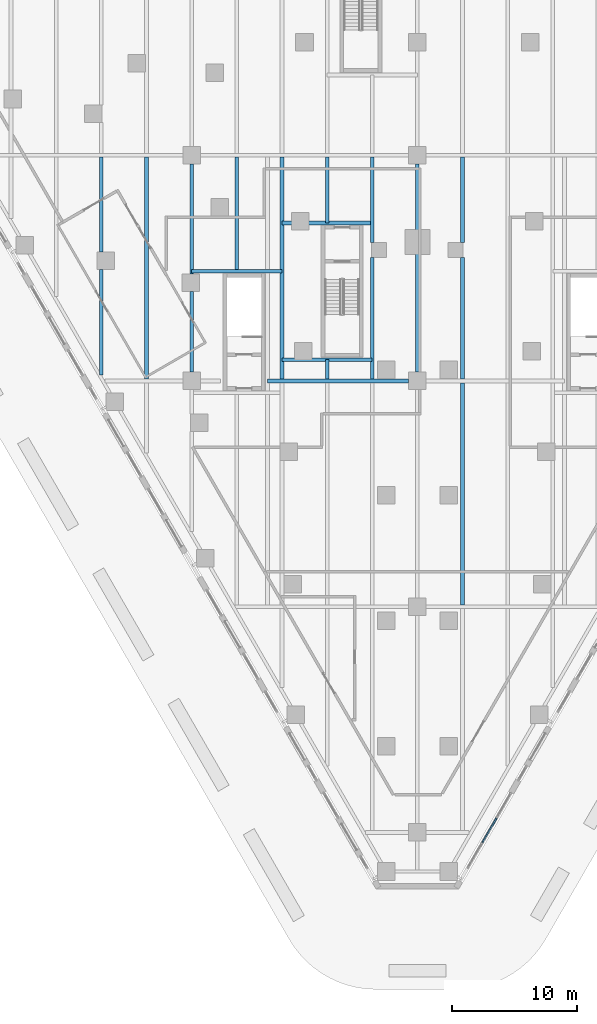
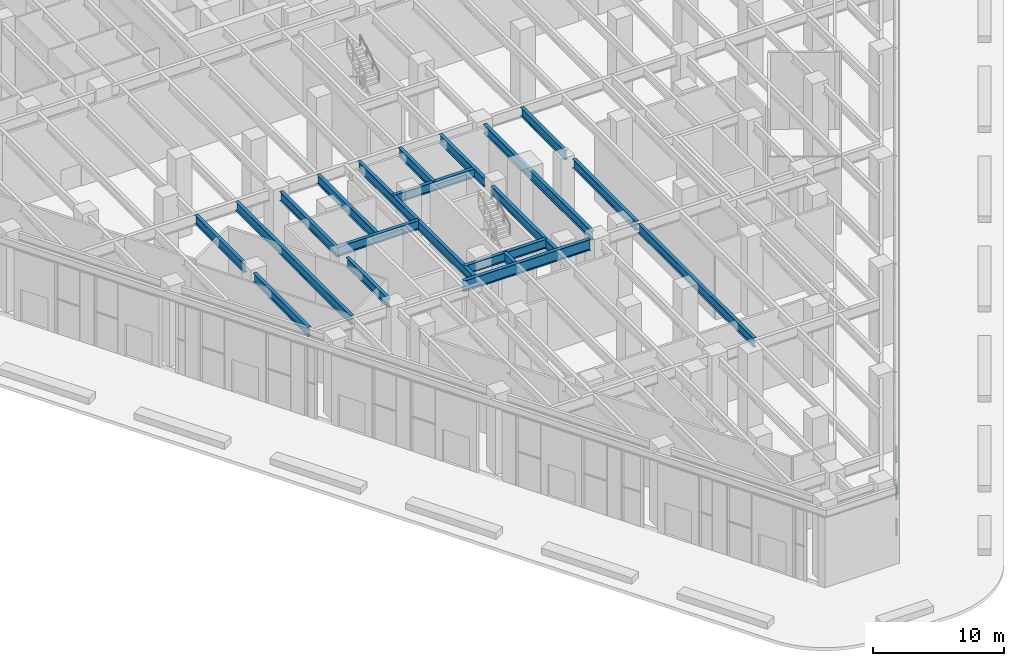
# One storey, part 6 of 37: 19 beams, 3 members, 1 element without a shape of its own.
"""IFC4 building model written with IfcOpenShell, lengths in metres."""

import ifcopenshell
import ifcopenshell.guid

model = None  # the IFC model being written
_history = None  # IfcOwnerHistory: only IFC2X3 demands one
_inside = {}  # id of a spatial element -> (the spatial element, [elements in it])
_under = {}  # id of a project, library or spatial element -> (it, [spatial elements below it])
_declared = {}  # id of a project -> (the project, [libraries it declares])
_typed = {}  # id of a type object -> (the type object, [elements of that type])
_made_of = {}  # id of a material, layer set ... -> (it, [elements and type objects made of it])


def new_model(schema):
    """Start an empty IFC model of exactly this schema.

    Asked for "IFC4X3", IfcOpenShell would pick the latest addendum, in which some entities
    have other attributes; the version numbers below select the first issue.
    IFC2X3 requires an IfcOwnerHistory on every rooted entity: one is made here for all.
    """
    global model, _history
    if schema == "IFC4X3":
        model = ifcopenshell.file(schema_version=(4, 3, 0, 0))
    else:
        model = ifcopenshell.file(schema=schema)
    _inside.clear()
    _under.clear()
    _declared.clear()
    _typed.clear()
    _made_of.clear()
    _history = None
    if model.schema == "IFC2X3":
        org = make("IfcOrganization", Name="unknown")
        user = make(
            "IfcPersonAndOrganization",
            ThePerson=make("IfcPerson", FamilyName="unknown"),
            TheOrganization=org,
        )
        app = make(
            "IfcApplication",
            ApplicationDeveloper=org,
            Version="unknown",
            ApplicationFullName="unknown",
            ApplicationIdentifier="unknown",
        )
        _history = make(
            "IfcOwnerHistory",
            OwningUser=user,
            OwningApplication=app,
            ChangeAction="ADDED",
            CreationDate=0,
        )
    return model


def make(cls, **values):
    """One entity of the class cls with the attributes given. An attribute that is None is left unset."""
    return model.create_entity(
        cls, **{name: value for name, value in values.items() if value is not None}
    )


def rooted(cls, **values):
    """An entity with a GlobalId (a new one), such as an element, a storey or a relation."""
    return make(cls, GlobalId=ifcopenshell.guid.new(), OwnerHistory=_history, **values)


def si_unit(unit_type, name, prefix=None):
    """IfcSIUnit, for example si_unit("LENGTHUNIT", "METRE", prefix="MILLI")."""
    return make("IfcSIUnit", UnitType=unit_type, Prefix=prefix, Name=name)


def assignment(units):
    """IfcUnitAssignment: the units of a project."""
    return None if units is None else make("IfcUnitAssignment", Units=units)


def point(xyz):
    """IfcCartesianPoint."""
    return None if xyz is None else make("IfcCartesianPoint", Coordinates=xyz)


def direction(xyz):
    """IfcDirection."""
    return None if xyz is None else make("IfcDirection", DirectionRatios=xyz)


def frame(location, z_axis=None, x_axis=None):
    """IfcAxis2Placement3D, a coordinate frame: its origin and axes. An axis left out is left unset."""
    return make(
        "IfcAxis2Placement3D",
        Location=point(location),
        Axis=direction(z_axis),
        RefDirection=direction(x_axis),
    )


def frame_2d(location, x_axis=None):
    """IfcAxis2Placement2D, a coordinate frame in the plane: its origin and x axis."""
    return make(
        "IfcAxis2Placement2D", Location=point(location), RefDirection=direction(x_axis)
    )


def origin():
    """The frame at (0, 0, 0) with its axes left unset."""
    return frame((0.0, 0.0, 0.0))


def origin_2d():
    """The frame at (0, 0) in the plane with its x axis left unset."""
    return frame_2d((0.0, 0.0))


def place(relative_to, where):
    """IfcLocalPlacement: puts the frame where relative to a parent placement (None: the world)."""
    return make(
        "IfcLocalPlacement", PlacementRelTo=relative_to, RelativePlacement=where
    )


def context(
    kind, dimensions, precision=None, world=None, true_north=None, identifier=None
):
    """IfcGeometricRepresentationContext, for example the 3D "Model" context."""
    return make(
        "IfcGeometricRepresentationContext",
        ContextIdentifier=identifier,
        ContextType=kind,
        CoordinateSpaceDimension=dimensions,
        Precision=precision,
        WorldCoordinateSystem=world,
        TrueNorth=true_north,
    )


def subcontext(parent, identifier, kind, view, scale=None):
    """IfcGeometricRepresentationSubContext, for example "Body" below "Model"."""
    return make(
        "IfcGeometricRepresentationSubContext",
        ContextIdentifier=identifier,
        ContextType=kind,
        ParentContext=parent,
        TargetScale=scale,
        TargetView=view,
    )


def project(units=None, contexts=None):
    """IfcProject with its units and contexts."""
    return rooted(
        "IfcProject",
        Name="project",
        RepresentationContexts=contexts,
        UnitsInContext=assignment(units),
    )


def spatial(cls, under=None, at=None, **own):
    """A site, building, storey or space (cls), placed at a placement, below another one or the project."""
    s = rooted(cls, ObjectPlacement=at, **own)
    if under is not None:
        _under.setdefault(under.id(), (under, []))[1].append(s)
    return s


def profile(cls, at=None, kind="AREA", **sizes):
    """A parametric profile (cls). Its sizes go by their IFC names, for example OverallWidth=200.0."""
    return make(cls, ProfileType=kind, Position=at, **sizes)


def rectangle(**sizes):
    """IfcRectangleProfileDef."""
    return profile("IfcRectangleProfileDef", **sizes)


def i_section(**sizes):
    """IfcIShapeProfileDef."""
    return profile("IfcIShapeProfileDef", **sizes)


def extrude(swept, where, along, depth):
    """IfcExtrudedAreaSolid: the profile swept, set in the frame where, extruded along a direction by depth."""
    return make(
        "IfcExtrudedAreaSolid",
        SweptArea=swept,
        Position=where,
        ExtrudedDirection=direction(along),
        Depth=depth,
    )


def shape(context_of_items, identifier, shape_type, items):
    """IfcShapeRepresentation: the items that make up one representation, for example the "Body"."""
    return make(
        "IfcShapeRepresentation",
        ContextOfItems=context_of_items,
        RepresentationIdentifier=identifier,
        RepresentationType=shape_type,
        Items=items,
    )


def material(Name=None, Category=None):
    """IfcMaterial."""
    return make("IfcMaterial", Name=Name, Category=Category)


def material_profile(
    of_material, cross_section, Name=None, Category=None, Priority=None
):
    """IfcMaterialProfile: a cross section and its material."""
    return make(
        "IfcMaterialProfile",
        Name=Name,
        Material=of_material,
        Profile=cross_section,
        Priority=Priority,
        Category=Category,
    )


def profile_set(profiles, Name=None, composite=None):
    """IfcMaterialProfileSet."""
    return make(
        "IfcMaterialProfileSet",
        Name=Name,
        MaterialProfiles=profiles,
        CompositeProfile=composite,
    )


def made_of(thing, what):
    """Note that an element or type object is made of a material, layer set ...; save() writes the relation."""
    if what is not None:
        _made_of.setdefault(what.id(), (what, []))[1].append(thing)
    return thing


def type_object(cls, material=None, **own):
    """A type object (cls), such as IfcWallType, which elements share."""
    return made_of(rooted(cls, **own), material)


def element(
    cls,
    number,
    at=None,
    inside=None,
    cuts=None,
    type_object=None,
    material=None,
    context=None,
    identifier="Body",
    shape_type=None,
    held_by="IfcProductDefinitionShape",
    body=None,
    shapes=None,
    **own,
):
    """One element of the class cls, such as IfcWall. Its Tag is "e" and its number.

    at: its placement. inside: the storey or other place that contains it. cuts: it is an
    opening in that element (IfcRelVoidsElement). A single representation is given by context,
    identifier, shape_type and body (its items); several are given by shapes. held_by: the class
    of the entity that holds the representations. save() writes the other relations.
    """
    e = rooted(cls, Tag="e%d" % number, ObjectPlacement=at, **own)
    if body is not None:
        shapes = [shape(context, identifier, shape_type, body)]
    if shapes is not None:
        e.Representation = make(held_by, Representations=shapes)
    if inside is not None:
        _inside.setdefault(inside.id(), (inside, []))[1].append(e)
    if cuts is not None:
        rooted(
            "IfcRelVoidsElement", RelatingBuildingElement=cuts, RelatedOpeningElement=e
        )
    if type_object is not None:
        _typed.setdefault(type_object.id(), (type_object, []))[1].append(e)
    return made_of(e, material)


def aggregate(whole, parts):
    """IfcRelAggregates: a whole, such as a stair, and the parts it consists of."""
    return rooted("IfcRelAggregates", RelatingObject=whole, RelatedObjects=parts)


def save(model, path):
    """Write the relations noted so far, then the file.

    IfcRelAggregates (storeys below a building ...), IfcRelContainedInSpatialStructure (elements
    in a storey), IfcRelDefinesByType, IfcRelAssociatesMaterial and IfcRelDeclares: one each for
    every whole, place, type object, material and project.
    """
    for whole, parts in _under.values():
        aggregate(whole, parts)
    for where, things in _inside.values():
        rooted(
            "IfcRelContainedInSpatialStructure",
            RelatedElements=things,
            RelatingStructure=where,
        )
    for kind, things in _typed.values():
        rooted("IfcRelDefinesByType", RelatedObjects=things, RelatingType=kind)
    for what, things in _made_of.values():
        rooted("IfcRelAssociatesMaterial", RelatedObjects=things, RelatingMaterial=what)
    for by, libraries in _declared.values():
        rooted("IfcRelDeclares", RelatingContext=by, RelatedDefinitions=libraries)
    model.write(path)


model = new_model("IFC4")

# Units and contexts
model_context = context("Model", 3, precision=1e-05, world=origin(), true_north=direction((0.0, 1.0)))
body_context = subcontext(model_context, "Body", "Model", "MODEL_VIEW")
ifc_project = project(units=[si_unit("LENGTHUNIT", "METRE"), si_unit("AREAUNIT", "SQUARE_METRE"), si_unit("VOLUMEUNIT", "CUBIC_METRE"), si_unit("PLANEANGLEUNIT", "RADIAN"), si_unit("MASSUNIT", "GRAM", prefix="KILO")], contexts=[model_context])

# Site, building, storey
site_placement = place(None, origin())
site = spatial("IfcSite", under=ifc_project, at=site_placement, CompositionType="ELEMENT")
building_placement = place(site_placement, origin())
building = spatial("IfcBuilding", under=site, at=building_placement, Name="Aloe Facet Convention Tower", CompositionType="ELEMENT")
storey_placement = place(building_placement, origin())
storey = spatial("IfcBuildingStorey", under=building, at=storey_placement, Name="L00", CompositionType="ELEMENT", Elevation=0.0)

# Curtain wall, members
ifc_material_1 = material(Name="Aluminium, anodised", Category="aluminium")
curtain_wall_type = type_object("IfcCurtainWallType", Name="EV-CW-SHOP", PredefinedType="USERDEFINED", material=ifc_material_1)
curtain_wall_placement = place(storey_placement, origin())
curtain_wall = element("IfcCurtainWall", 1, at=curtain_wall_placement, inside=storey, type_object=curtain_wall_type, Name="CW-L00-E02", ObjectType="STICK SHOPFRONT GLAZING", PredefinedType="USERDEFINED")
ifc_material_2 = material(Name="Aluminium, anodised", Category="aluminium")
ifc_material_profile_1 = material_profile(ifc_material_2, rectangle(XDim=0.1201171875, YDim=0.06005859375, at=origin_2d()), Name="AL 120x60")
ifc_profile_set_1 = profile_set([ifc_material_profile_1], Name="Aluminium, anodised")
member_type = type_object("IfcMemberType", Name="EV-TRAN-SHOP", PredefinedType="USERDEFINED", material=ifc_profile_set_1)
member_1_placement = place(storey_placement, frame((85.1845703125, 44.200439453125, -0.27001953125), z_axis=(0.499990200585, 0.866031061406, 0.0), x_axis=(-0.866031061406, 0.499990200585, 0.0)))
member_1 = element("IfcMember", 2, at=member_1_placement, type_object=member_type, Name="CW-L00-E02 transom 2.1", ObjectType="TRANSOM", PredefinedType="USERDEFINED", context=body_context, shape_type="SweptSolid", body=[
    extrude(rectangle(XDim=0.1201171875, YDim=0.06005859375, at=origin_2d()), origin(), (0.0, 0.0, 1.0), 2.236328125),
])
member_2_placement = place(storey_placement, frame((85.1845703125, 44.200439453125, 3.106201171875), z_axis=(0.499990200585, 0.866031061406, 0.0), x_axis=(-0.866031061406, 0.499990200585, 0.0)))
member_2 = element("IfcMember", 3, at=member_2_placement, type_object=member_type, Name="CW-L00-E02 transom 2.2", ObjectType="TRANSOM", PredefinedType="USERDEFINED", context=body_context, shape_type="SweptSolid", body=[
    extrude(rectangle(XDim=0.1201171875, YDim=0.06005859375, at=origin_2d()), origin(), (0.0, 0.0, 1.0), 2.236328125),
])
member_3_placement = place(storey_placement, frame((85.1845703125, 44.200439453125, 6.482421875), z_axis=(0.499990200585, 0.866031061406, 0.0), x_axis=(-0.866031061406, 0.499990200585, 0.0)))
member_3 = element("IfcMember", 4, at=member_3_placement, type_object=member_type, Name="CW-L00-E02 transom 2.3", ObjectType="TRANSOM", PredefinedType="USERDEFINED", context=body_context, shape_type="SweptSolid", body=[
    extrude(rectangle(XDim=0.1201171875, YDim=0.06005859375, at=origin_2d()), origin(), (0.0, 0.0, 1.0), 2.236328125),
])
aggregate(curtain_wall, [member_1, member_2, member_3])

# Beams
ifc_material_3 = material(Name="Steel S355", Category="steel")
ifc_material_profile_2 = material_profile(ifc_material_3, i_section(OverallWidth=0.305419921875, OverallDepth=1.02587890625, WebThickness=0.02001953125, FlangeThickness=0.031005859375, FilletRadius=0.030029296875, at=origin_2d()), Name="UB 1016x305x349")
ifc_profile_set_2 = profile_set([ifc_material_profile_2], Name="Steel S355")
beam_type_1 = type_object("IfcBeamType", Name="SF-B-UB1016x305x349", PredefinedType="BEAM", material=ifc_profile_set_2)
beam_1_placement = place(storey_placement, frame((68.050048828125, 81.0, 6.68701171875), z_axis=(1.0, 0.0, 0.0), x_axis=(0.0, 1.0, 0.0)))
element("IfcBeam", 5, at=beam_1_placement, inside=storey, type_object=beam_type_1, Name="Floor beam FB-L01-039", PredefinedType="BEAM", context=body_context, shape_type="SweptSolid", body=[
    extrude(i_section(OverallWidth=0.305419921875, OverallDepth=1.02587890625, WebThickness=0.02001953125, FlangeThickness=0.031005859375, FilletRadius=0.030029296875, at=origin_2d()), origin(), (0.0, 0.0, 1.0), 11.25),
])
ifc_material_4 = material(Name="Steel S355", Category="steel")
ifc_material_profile_3 = material_profile(ifc_material_4, i_section(OverallWidth=0.293701171875, OverallDepth=0.850830078125, WebThickness=0.01611328125, FlangeThickness=0.02685546875, FilletRadius=0.017822265625, at=origin_2d()), Name="UB 838x292x226")
ifc_profile_set_3 = profile_set([ifc_material_profile_3], Name="Steel S355")
beam_type_2 = type_object("IfcBeamType", Name="SF-B-UB838x292x226", PredefinedType="BEAM", material=ifc_profile_set_3)
beam_2_placement = place(storey_placement, frame((54.800048828125, 81.482666015625, 6.774658203125), z_axis=(0.0, 1.0, 0.0), x_axis=(-1.0, 0.0, 0.0)))
element("IfcBeam", 6, at=beam_2_placement, inside=storey, type_object=beam_type_2, Name="Floor beam FB-L01-069", PredefinedType="BEAM", context=body_context, shape_type="SweptSolid", body=[
    extrude(i_section(OverallWidth=0.293701171875, OverallDepth=0.850830078125, WebThickness=0.01611328125, FlangeThickness=0.02685546875, FilletRadius=0.017822265625, at=origin_2d()), origin(), (0.0, 0.0, 1.0), 8.40234375),
])
beam_3_placement = place(storey_placement, frame((54.800048828125, 91.284912109375, 6.774658203125), z_axis=(0.0, 1.0, 0.0), x_axis=(-1.0, 0.0, 0.0)))
element("IfcBeam", 7, at=beam_3_placement, inside=storey, type_object=beam_type_2, Name="Floor beam FB-L01-070", PredefinedType="BEAM", context=body_context, shape_type="SweptSolid", body=[
    extrude(i_section(OverallWidth=0.293701171875, OverallDepth=0.850830078125, WebThickness=0.01611328125, FlangeThickness=0.02685546875, FilletRadius=0.017822265625, at=origin_2d()), origin(), (0.0, 0.0, 1.0), 7.5625),
])
beam_4_placement = place(storey_placement, frame((58.39990234375, 81.152587890625, 6.774658203125), z_axis=(0.0, 1.0, 0.0), x_axis=(-1.0, 0.0, 0.0)))
element("IfcBeam", 8, at=beam_4_placement, inside=storey, type_object=beam_type_2, Name="Floor beam FB-L01-076", PredefinedType="BEAM", context=body_context, shape_type="SweptSolid", body=[
    extrude(i_section(OverallWidth=0.293701171875, OverallDepth=0.850830078125, WebThickness=0.01611328125, FlangeThickness=0.02685546875, FilletRadius=0.017822265625, at=origin_2d()), origin(), (0.0, 0.0, 1.0), 17.69482421875),
])
beam_5_placement = place(storey_placement, frame((62.0, 81.699951171875, 6.774658203125), z_axis=(0.0, 1.0, 0.0), x_axis=(-1.0, 0.0, 0.0)))
element("IfcBeam", 9, at=beam_5_placement, inside=storey, type_object=beam_type_2, Name="Floor beam FB-L01-082", PredefinedType="BEAM", context=body_context, shape_type="SweptSolid", body=[
    extrude(i_section(OverallWidth=0.293701171875, OverallDepth=0.850830078125, WebThickness=0.01611328125, FlangeThickness=0.02685546875, FilletRadius=0.017822265625, at=origin_2d()), origin(), (0.0, 0.0, 1.0), 6.445068359375),
])
beam_6_placement = place(storey_placement, frame((62.0, 89.544921875, 6.774658203125), z_axis=(0.0, 1.0, 0.0), x_axis=(-1.0, 0.0, 0.0)))
element("IfcBeam", 10, at=beam_6_placement, inside=storey, type_object=beam_type_2, Name="Floor beam FB-L01-083", PredefinedType="BEAM", context=body_context, shape_type="SweptSolid", body=[
    extrude(i_section(OverallWidth=0.293701171875, OverallDepth=0.850830078125, WebThickness=0.01611328125, FlangeThickness=0.02685546875, FilletRadius=0.017822265625, at=origin_2d()), origin(), (0.0, 0.0, 1.0), 8.755126953125),
])
beam_7_placement = place(storey_placement, frame((62.0, 89.75, 6.774658203125), z_axis=(1.0, 0.0, 0.0), x_axis=(0.0, 1.0, 0.0)))
element("IfcBeam", 11, at=beam_7_placement, inside=storey, type_object=beam_type_2, Name="Floor beam FB-L01-084", PredefinedType="BEAM", context=body_context, shape_type="SweptSolid", body=[
    extrude(i_section(OverallWidth=0.293701171875, OverallDepth=0.850830078125, WebThickness=0.01611328125, FlangeThickness=0.02685546875, FilletRadius=0.017822265625, at=origin_2d()), origin(), (0.0, 0.0, 1.0), 7.199951171875),
])
beam_8_placement = place(storey_placement, frame((65.60009765625, 89.75, 6.774658203125), z_axis=(0.0, 1.0, 0.0), x_axis=(-1.0, 0.0, 0.0)))
element("IfcBeam", 12, at=beam_8_placement, inside=storey, type_object=beam_type_2, Name="Floor beam FB-L01-088", PredefinedType="BEAM", context=body_context, shape_type="SweptSolid", body=[
    extrude(i_section(OverallWidth=0.293701171875, OverallDepth=0.850830078125, WebThickness=0.01611328125, FlangeThickness=0.02685546875, FilletRadius=0.017822265625, at=origin_2d()), origin(), (0.0, 0.0, 1.0), 9.097412109375),
])
beam_9_placement = place(storey_placement, frame((69.199951171875, 81.152587890625, 6.774658203125), z_axis=(0.0, 1.0, 0.0), x_axis=(-1.0, 0.0, 0.0)))
element("IfcBeam", 13, at=beam_9_placement, inside=storey, type_object=beam_type_2, Name="Floor beam FB-L01-095", PredefinedType="BEAM", context=body_context, shape_type="SweptSolid", body=[
    extrude(i_section(OverallWidth=0.293701171875, OverallDepth=0.850830078125, WebThickness=0.01611328125, FlangeThickness=0.02685546875, FilletRadius=0.017822265625, at=origin_2d()), origin(), (0.0, 0.0, 1.0), 17.69482421875),
])
for number, where, z_axis, x_axis, name in (
    (14, (69.199951171875, 82.699951171875, 6.774658203125), (1.0, 0.0, 0.0), (0.0, 1.0, 0.0), "Floor beam FB-L01-096"),
    (15, (69.199951171875, 93.60009765625, 6.774658203125), (1.0, 0.0, 0.0), (0.0, 1.0, 0.0), "Floor beam FB-L01-097"),
):
    element("IfcBeam", number, at=place(storey_placement, frame(where, z_axis=z_axis, x_axis=x_axis)), inside=storey, type_object=beam_type_2, Name=name, PredefinedType="BEAM", context=body_context, shape_type="SweptSolid", body=[
        extrude(i_section(OverallWidth=0.293701171875, OverallDepth=0.850830078125, WebThickness=0.01611328125, FlangeThickness=0.02685546875, FilletRadius=0.017822265625, at=origin_2d()), origin(), (0.0, 0.0, 1.0), 7.199951171875),
    ])
beam_10_placement = place(storey_placement, frame((72.800048828125, 81.152587890625, 6.774658203125), z_axis=(0.0, 1.0, 0.0), x_axis=(-1.0, 0.0, 0.0)))
element("IfcBeam", 16, at=beam_10_placement, inside=storey, type_object=beam_type_2, Name="Floor beam FB-L01-102", PredefinedType="BEAM", context=body_context, shape_type="SweptSolid", body=[
    extrude(i_section(OverallWidth=0.293701171875, OverallDepth=0.850830078125, WebThickness=0.01611328125, FlangeThickness=0.02685546875, FilletRadius=0.017822265625, at=origin_2d()), origin(), (0.0, 0.0, 1.0), 1.54736328125),
])
beam_11_placement = place(storey_placement, frame((72.800048828125, 93.60009765625, 6.774658203125), z_axis=(0.0, 1.0, 0.0), x_axis=(-1.0, 0.0, 0.0)))
element("IfcBeam", 17, at=beam_11_placement, inside=storey, type_object=beam_type_2, Name="Floor beam FB-L01-103", PredefinedType="BEAM", context=body_context, shape_type="SweptSolid", body=[
    extrude(i_section(OverallWidth=0.293701171875, OverallDepth=0.850830078125, WebThickness=0.01611328125, FlangeThickness=0.02685546875, FilletRadius=0.017822265625, at=origin_2d()), origin(), (0.0, 0.0, 1.0), 5.247314453125),
])
beam_12_placement = place(storey_placement, frame((76.39990234375, 81.152587890625, 6.774658203125), z_axis=(0.0, 1.0, 0.0), x_axis=(-1.0, 0.0, 0.0)))
element("IfcBeam", 18, at=beam_12_placement, inside=storey, type_object=beam_type_2, Name="Floor beam FB-L01-109", PredefinedType="BEAM", context=body_context, shape_type="SweptSolid", body=[
    extrude(i_section(OverallWidth=0.293701171875, OverallDepth=0.850830078125, WebThickness=0.01611328125, FlangeThickness=0.02685546875, FilletRadius=0.017822265625, at=origin_2d()), origin(), (0.0, 0.0, 1.0), 9.68994140625),
])
beam_13_placement = place(storey_placement, frame((76.39990234375, 92.04248046875, 6.774658203125), z_axis=(0.0, 1.0, 0.0), x_axis=(-1.0, 0.0, 0.0)))
element("IfcBeam", 19, at=beam_13_placement, inside=storey, type_object=beam_type_2, Name="Floor beam FB-L01-110", PredefinedType="BEAM", context=body_context, shape_type="SweptSolid", body=[
    extrude(i_section(OverallWidth=0.293701171875, OverallDepth=0.850830078125, WebThickness=0.01611328125, FlangeThickness=0.02685546875, FilletRadius=0.017822265625, at=origin_2d()), origin(), (0.0, 0.0, 1.0), 6.804931640625),
])
beam_14_placement = place(storey_placement, frame((80.0, 81.699951171875, 6.774658203125), z_axis=(0.0, 1.0, 0.0), x_axis=(-1.0, 0.0, 0.0)))
element("IfcBeam", 20, at=beam_14_placement, inside=storey, type_object=beam_type_2, Name="Floor beam FB-L01-116", PredefinedType="BEAM", context=body_context, shape_type="SweptSolid", body=[
    extrude(i_section(OverallWidth=0.293701171875, OverallDepth=0.850830078125, WebThickness=0.01611328125, FlangeThickness=0.02685546875, FilletRadius=0.017822265625, at=origin_2d()), origin(), (0.0, 0.0, 1.0), 16.60009765625),
])
beam_15_placement = place(storey_placement, frame((83.60009765625, 63.152587890625, 6.774658203125), z_axis=(0.0, 1.0, 0.0), x_axis=(-1.0, 0.0, 0.0)))
element("IfcBeam", 21, at=beam_15_placement, inside=storey, type_object=beam_type_2, Name="Floor beam FB-L01-121", PredefinedType="BEAM", context=body_context, shape_type="SweptSolid", body=[
    extrude(i_section(OverallWidth=0.293701171875, OverallDepth=0.850830078125, WebThickness=0.01611328125, FlangeThickness=0.02685546875, FilletRadius=0.017822265625, at=origin_2d()), origin(), (0.0, 0.0, 1.0), 17.69482421875),
])
beam_16_placement = place(storey_placement, frame((83.60009765625, 81.152587890625, 6.774658203125), z_axis=(0.0, 1.0, 0.0), x_axis=(-1.0, 0.0, 0.0)))
element("IfcBeam", 22, at=beam_16_placement, inside=storey, type_object=beam_type_2, Name="Floor beam FB-L01-122", PredefinedType="BEAM", context=body_context, shape_type="SweptSolid", body=[
    extrude(i_section(OverallWidth=0.293701171875, OverallDepth=0.850830078125, WebThickness=0.01611328125, FlangeThickness=0.02685546875, FilletRadius=0.017822265625, at=origin_2d()), origin(), (0.0, 0.0, 1.0), 9.68994140625),
])
beam_17_placement = place(storey_placement, frame((83.60009765625, 92.04248046875, 6.774658203125), z_axis=(0.0, 1.0, 0.0), x_axis=(-1.0, 0.0, 0.0)))
element("IfcBeam", 23, at=beam_17_placement, inside=storey, type_object=beam_type_2, Name="Floor beam FB-L01-123", PredefinedType="BEAM", context=body_context, shape_type="SweptSolid", body=[
    extrude(i_section(OverallWidth=0.293701171875, OverallDepth=0.850830078125, WebThickness=0.01611328125, FlangeThickness=0.02685546875, FilletRadius=0.017822265625, at=origin_2d()), origin(), (0.0, 0.0, 1.0), 6.804931640625),
])

save(model, "model.ifc")
